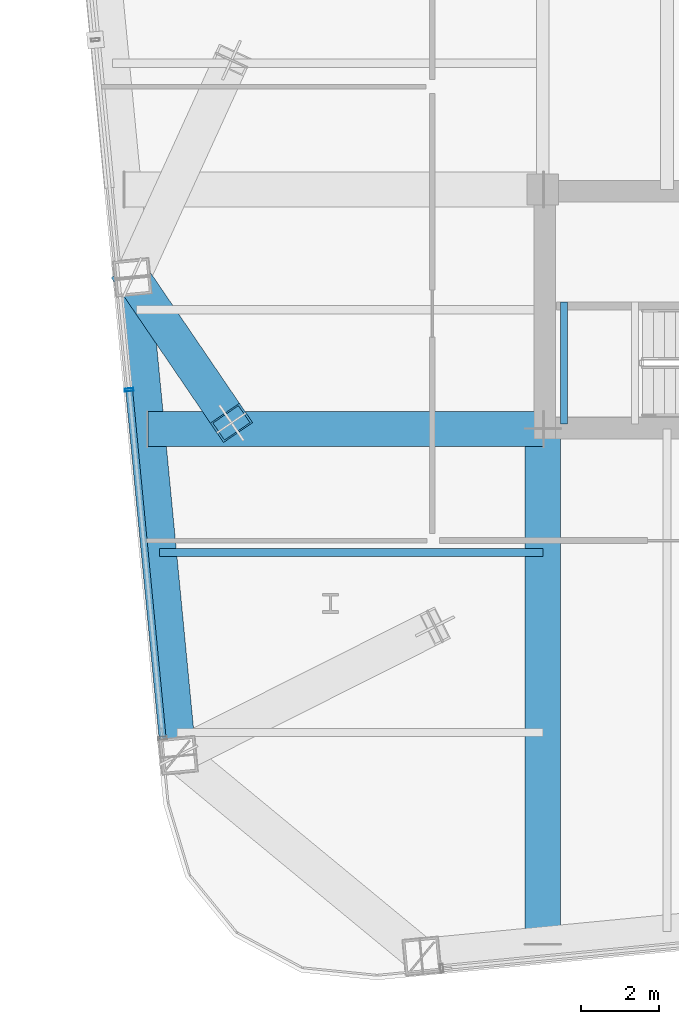
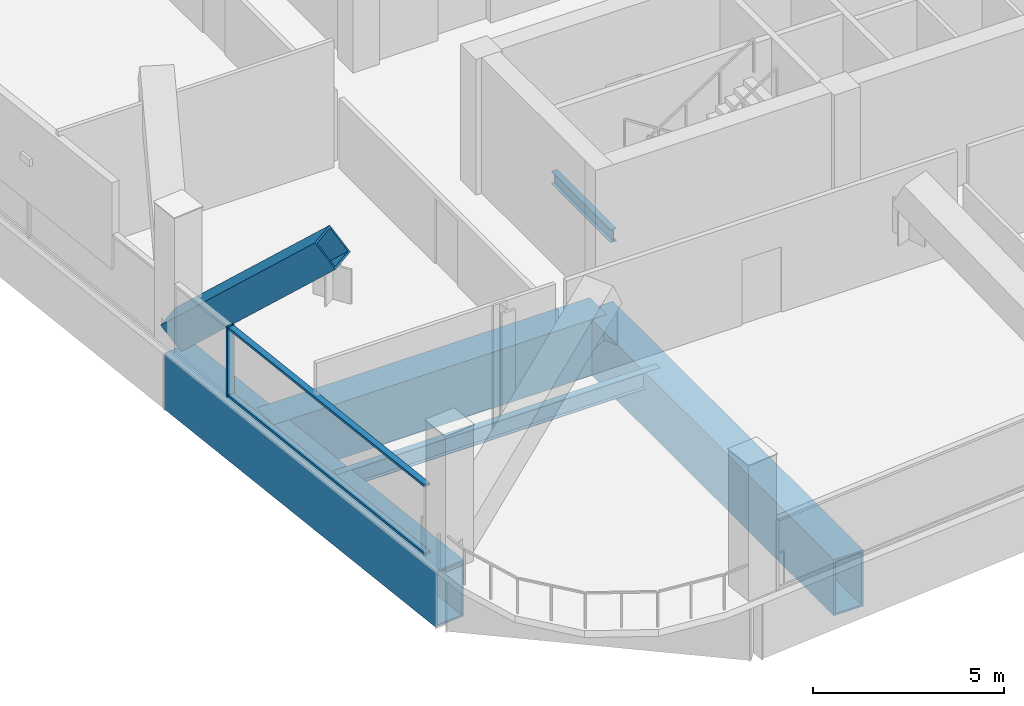
# One storey, part 3 of 30: 5 beams, 4 members, 1 element without a shape of its own.
"""IFC4 building model written with IfcOpenShell, lengths in metres."""

from ifc_helpers import new_model, si_unit, direction, frame, origin, origin_2d, place, context, subcontext, project, spatial, hollow_rectangle, i_section, extrude, material, layer, layer_set, material_profile, profile_set, type_object, element, aggregate, save


model = new_model("IFC4")

# Units and contexts
model_context = context("Model", 3, precision=1e-05, world=origin(), true_north=direction((0.0, 1.0)))
body_context = subcontext(model_context, "Body", "Model", "MODEL_VIEW")
ifc_project = project(units=[si_unit("LENGTHUNIT", "METRE"), si_unit("AREAUNIT", "SQUARE_METRE"), si_unit("VOLUMEUNIT", "CUBIC_METRE"), si_unit("PLANEANGLEUNIT", "RADIAN"), si_unit("MASSUNIT", "GRAM", prefix="KILO")], contexts=[model_context])

# Site, building, storey
site_placement = place(None, origin())
site = spatial("IfcSite", under=ifc_project, at=site_placement, CompositionType="ELEMENT")
building_placement = place(site_placement, origin())
building = spatial("IfcBuilding", under=site, at=building_placement, Name="Qhalaya Broadcast Tower", CompositionType="ELEMENT")
storey_placement = place(building_placement, frame((0.0, 0.0, 96.89990234375)))
storey = spatial("IfcBuildingStorey", under=building, at=storey_placement, Name="L28", CompositionType="ELEMENT", Elevation=96.89990234375)

# Beams
ifc_material_1 = material(Name="Structural Steel ASTM A572 Grade 50", Category="steel")
ifc_material_profile_1 = material_profile(ifc_material_1, hollow_rectangle(XDim=0.89990234375, YDim=1.800048828125, WallThickness=0.06005859375, at=origin_2d()), Name="BOX 900x1800x60")
ifc_profile_set_1 = profile_set([ifc_material_profile_1], Name="Structural Steel ASTM A572 Grade 50")
beam_type_1 = type_object("IfcBeamType", Name="Block Cantilever Transfer Box Girder TG1", PredefinedType="USERDEFINED", material=ifc_profile_set_1)
beam_1_placement = place(storey_placement, frame((-19.861083984375, -4.875, -1.119873046875), z_axis=(0.095831866369, -0.995397535354, 0.0), x_axis=(0.995397535354, 0.095831866369, 0.0)))
element("IfcBeam", 1, at=beam_1_placement, inside=storey, type_object=beam_type_1, Name="L28 TG1 L28-SPR-15", ObjectType="GIRDER", PredefinedType="USERDEFINED", context=body_context, shape_type="SweptSolid", body=[
    extrude(hollow_rectangle(XDim=0.89990234375, YDim=1.800048828125, WallThickness=0.06005859375, at=origin_2d()), origin(), (0.0, 0.0, 1.0), 12.2666015625),
])
beam_2_placement = place(storey_placement, frame((-9.375, -21.89501953125, -1.119873046875), z_axis=(0.0, 1.0, 0.0), x_axis=(-1.0, 0.0, 0.0)))
element("IfcBeam", 2, at=beam_2_placement, inside=storey, type_object=beam_type_1, Name="L28 TG1 L28-PGXS1-1", ObjectType="GIRDER", PredefinedType="USERDEFINED", context=body_context, shape_type="SweptSolid", body=[
    extrude(hollow_rectangle(XDim=0.89990234375, YDim=1.800048828125, WallThickness=0.06005859375, at=origin_2d()), origin(), (0.0, 0.0, 1.0), 13.14501953125),
])
beam_3_placement = place(storey_placement, frame((-19.468017578125, -8.75, -1.119873046875), z_axis=(1.0, 0.0, 0.0), x_axis=(0.0, 1.0, 0.0)))
element("IfcBeam", 3, at=beam_3_placement, inside=storey, type_object=beam_type_1, Name="L28 TG1 L28-PGYW1-1", ObjectType="GIRDER", PredefinedType="USERDEFINED", context=body_context, shape_type="SweptSolid", body=[
    extrude(hollow_rectangle(XDim=0.89990234375, YDim=1.800048828125, WallThickness=0.06005859375, at=origin_2d()), origin(), (0.0, 0.0, 1.0), 10.093017578125),
])
ifc_material_2 = material(Name="Structural Steel ASTM A992 Grade 50", Category="steel")
ifc_material_profile_2 = material_profile(ifc_material_2, i_section(OverallWidth=0.2099609375, OverallDepth=0.535888671875, WebThickness=0.010986328125, FlangeThickness=0.017333984375, at=origin_2d()), Name="W21X68")
ifc_profile_set_2 = profile_set([ifc_material_profile_2], Name="Structural Steel ASTM A992 Grade 50")
beam_type_2 = type_object("IfcBeamType", Name="Composite Floor Joist J02", PredefinedType="JOIST", material=ifc_profile_set_2)
beam_4_placement = place(storey_placement, frame((-19.164794921875, -11.89990234375, -0.48779296875), z_axis=(1.0, 0.0, 0.0), x_axis=(0.0, 1.0, 0.0)))
element("IfcBeam", 4, at=beam_4_placement, inside=storey, type_object=beam_type_2, Name="L28 J02 L28-JWE2W-1", PredefinedType="JOIST", context=body_context, shape_type="SweptSolid", body=[
    extrude(i_section(OverallWidth=0.2099609375, OverallDepth=0.535888671875, WebThickness=0.010986328125, FlangeThickness=0.017333984375, at=origin_2d()), origin(), (0.0, 0.0, 1.0), 9.789794921875),
])

# Member
ifc_material_profile_3 = material_profile(ifc_material_1, hollow_rectangle(XDim=0.89990234375, YDim=0.89990234375, WallThickness=0.054931640625, at=origin_2d()), Name="BOX 900x900x55")
ifc_profile_set_3 = profile_set([ifc_material_profile_3], Name="Structural Steel ASTM A572 Grade 50")
member_type_1 = type_object("IfcMemberType", Name="Heavy Exoskeleton Transfer Strut RK1", PredefinedType="BRACE", material=ifc_profile_set_3)
member_1_placement = place(storey_placement, frame((-19.861083984375, -4.875, 0.34619140625), z_axis=(0.420440211037, -0.617135014117, 0.665112323817), x_axis=(0.826435257798, 0.563031761687, 0.0)))
element("IfcMember", 5, at=member_1_placement, inside=storey, type_object=member_type_1, Name="L28 Inclined Exoskeleton Transfer Strut 16", PredefinedType="BRACE", context=body_context, shape_type="SweptSolid", body=[
    extrude(hollow_rectangle(XDim=0.89990234375, YDim=0.89990234375, WallThickness=0.054931640625, at=origin_2d()), origin(), (0.0, 0.0, 1.0), 6.019775390625),
])

# Curtain wall, members
ifc_material_3 = material(Name="Fired Architectural Terracotta", Category="masonry")
ifc_layer = layer(ifc_material_3, 0.219970703125, Name="Fired Architectural Terracotta")
ifc_layer_set = layer_set([ifc_layer], Name="Fired Architectural Terracotta")
curtain_wall_type = type_object("IfcCurtainWallType", Name="Block-Cap Unitised Terracotta Spandrel Wall CW-07", PredefinedType="NOTDEFINED", material=ifc_layer_set)
curtain_wall_placement = place(storey_placement, origin())
curtain_wall = element("IfcCurtainWall", 6, at=curtain_wall_placement, inside=storey, type_object=curtain_wall_type, Name="L28 Unitised Curtain Wall L28-CW-W", PredefinedType="NOTDEFINED")
ifc_material_4 = material(Name="Anodised Aluminium 6063-T6", Category="aluminium")
ifc_material_profile_4 = material_profile(ifc_material_4, hollow_rectangle(XDim=0.074951171875, YDim=0.219970703125, WallThickness=0.00390625, at=origin_2d()), Name="ALU-MUL 75x220x4")
ifc_profile_set_4 = profile_set([ifc_material_profile_4], Name="Anodised Aluminium 6063-T6")
member_type_2 = type_object("IfcMemberType", Name="Unitised Curtain-Wall Mullion M01", PredefinedType="MULLION", material=ifc_profile_set_4)
member_2_placement = place(storey_placement, frame((-19.946533203125, -7.744140625, 0.0), z_axis=(0.0, 0.0, 1.0), x_axis=(-0.095846812756, 0.995396096278, 0.0)))
member_2 = element("IfcMember", 7, at=member_2_placement, type_object=member_type_2, Name="CW-07 mullion 2", PredefinedType="MULLION", context=body_context, shape_type="SweptSolid", body=[
    extrude(hollow_rectangle(XDim=0.074951171875, YDim=0.219970703125, WallThickness=0.00390625, at=origin_2d()), origin(), (0.0, 0.0, 1.0), 2.25),
])
ifc_material_profile_5 = material_profile(ifc_material_4, hollow_rectangle(XDim=0.074951171875, YDim=0.179931640625, WallThickness=0.00390625, at=origin_2d()), Name="ALU-TRN 75x180x4")
ifc_profile_set_5 = profile_set([ifc_material_profile_5], Name="Anodised Aluminium 6063-T6")
member_type_3 = type_object("IfcMemberType", Name="Unitised Curtain-Wall Transom T01", PredefinedType="USERDEFINED", material=ifc_profile_set_5)
member_3_placement = place(storey_placement, frame((-19.093017578125, -16.609130859375, 0.03759765625), z_axis=(-0.095856133689, 0.99539519872, 0.0), x_axis=(0.0, 0.0, 1.0)))
member_3 = element("IfcMember", 8, at=member_3_placement, type_object=member_type_3, Name="CW-07 transom 1.1", ObjectType="TRANSOM", PredefinedType="USERDEFINED", context=body_context, shape_type="SweptSolid", body=[
    extrude(hollow_rectangle(XDim=0.074951171875, YDim=0.179931640625, WallThickness=0.00390625, at=origin_2d()), origin(), (0.0, 0.0, 1.0), 8.868408203125),
])
member_4_placement = place(storey_placement, frame((-19.093017578125, -16.609130859375, 2.212646484375), z_axis=(-0.095856133689, 0.99539519872, 0.0), x_axis=(0.0, 0.0, 1.0)))
member_4 = element("IfcMember", 9, at=member_4_placement, type_object=member_type_3, Name="CW-07 transom 1.2", ObjectType="TRANSOM", PredefinedType="USERDEFINED", context=body_context, shape_type="SweptSolid", body=[
    extrude(hollow_rectangle(XDim=0.074951171875, YDim=0.179931640625, WallThickness=0.00390625, at=origin_2d()), origin(), (0.0, 0.0, 1.0), 8.868408203125),
])
aggregate(curtain_wall, [member_2, member_3, member_4])

# Beam
ifc_material_profile_6 = material_profile(ifc_material_2, i_section(OverallWidth=0.177978515625, OverallDepth=0.406005859375, WebThickness=0.0078125, FlangeThickness=0.0126953125, at=origin_2d()), Name="W16X40")
ifc_profile_set_6 = profile_set([ifc_material_profile_6], Name="Structural Steel ASTM A992 Grade 50")
beam_type_3 = type_object("IfcBeamType", Name="Upper Perimeter Spandrel Beam SP2", PredefinedType="SPANDREL", material=ifc_profile_set_6)
beam_5_placement = place(storey_placement, frame((-8.830078125, -8.6201171875, 1.772216796875), z_axis=(0.0, 1.0, 0.0), x_axis=(-1.0, 0.0, 0.0)))
element("IfcBeam", 10, at=beam_5_placement, inside=storey, type_object=beam_type_3, Name="L28 ST-2 Half-Landing Bearer Beam 1", PredefinedType="SPANDREL", context=body_context, shape_type="SweptSolid", body=[
    extrude(i_section(OverallWidth=0.177978515625, OverallDepth=0.406005859375, WebThickness=0.0078125, FlangeThickness=0.0126953125, at=origin_2d()), origin(), (0.0, 0.0, 1.0), 3.1201171875),
])

save(model, "model.ifc")
